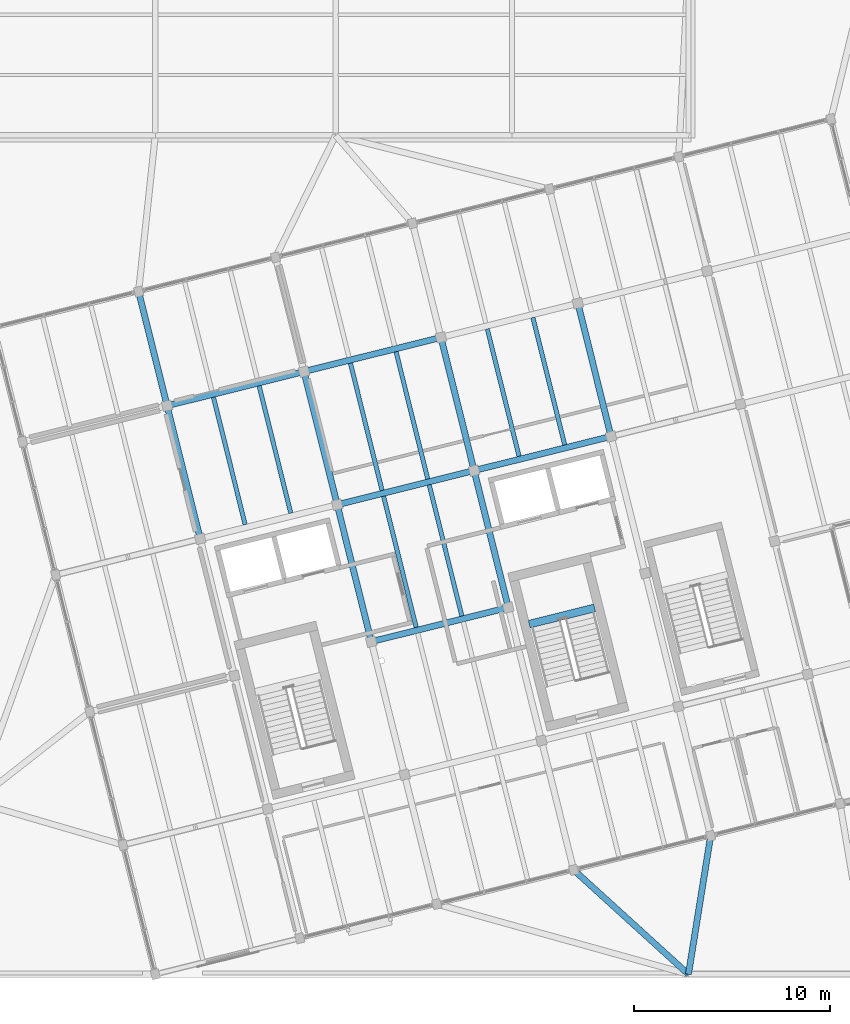
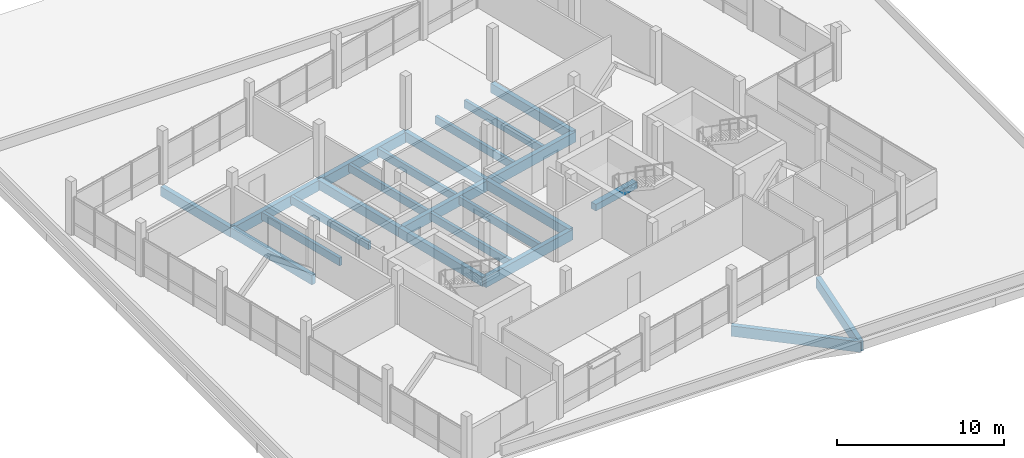
# One storey, part 11 of 37: 23 beams.
"""IFC4 building model written with IfcOpenShell, lengths in metres."""

from ifc_helpers import new_model, si_unit, direction, frame, origin, origin_2d, place, context, subcontext, project, spatial, rectangle, extrude, material, material_profile, profile_set, type_object, element, save


model = new_model("IFC4")

# Units and contexts
model_context = context("Model", 3, precision=1e-05, world=origin(), true_north=direction((0.0, 1.0)))
body_context = subcontext(model_context, "Body", "Model", "MODEL_VIEW")
ifc_project = project(units=[si_unit("LENGTHUNIT", "METRE"), si_unit("AREAUNIT", "SQUARE_METRE"), si_unit("VOLUMEUNIT", "CUBIC_METRE"), si_unit("PLANEANGLEUNIT", "RADIAN"), si_unit("MASSUNIT", "GRAM", prefix="KILO")], contexts=[model_context])

# Site, building, storey
site_placement = place(None, origin())
site = spatial("IfcSite", under=ifc_project, at=site_placement, CompositionType="ELEMENT")
building_placement = place(site_placement, origin())
building = spatial("IfcBuilding", under=site, at=building_placement, Name="Meriwether Solvik Hall", CompositionType="ELEMENT")
storey_placement = place(building_placement, frame((0.0, 0.0, 26.10009765625)))
storey = spatial("IfcBuildingStorey", under=building, at=storey_placement, Name="L06", CompositionType="ELEMENT", Elevation=26.10009765625)

# Beams
ifc_material_1 = material(Name="Glulam Douglas-Fir 24F-V8 GL28h", Category="wood")
ifc_material_profile_1 = material_profile(ifc_material_1, rectangle(XDim=0.31494140625, YDim=0.68505859375, at=origin_2d()), Name="GLB-315X685")
ifc_profile_set_1 = profile_set([ifc_material_profile_1], Name="Glulam Douglas-Fir 24F-V8 GL28h")
beam_type_1 = type_object("IfcBeamType", Name="BM-GL-315X685", PredefinedType="BEAM", material=ifc_profile_set_1)
beam_1_placement = place(storey_placement, frame((70.893798828125, 63.414794921875, -0.5625), z_axis=(-0.241911879182, 0.970298223594, 0.0), x_axis=(-0.970298223594, -0.241911879182, 0.0)))
element("IfcBeam", 1, at=beam_1_placement, inside=storey, type_object=beam_type_1, Name="Tower Girder T2:TD-TE (L06)", PredefinedType="BEAM", context=body_context, shape_type="SweptSolid", body=[
    extrude(rectangle(XDim=0.31494140625, YDim=0.68505859375, at=origin_2d()), origin(), (0.0, 0.0, 1.0), 7.0),
])
beam_2_placement = place(storey_placement, frame((69.200439453125, 70.206787109375, -0.612548828125), z_axis=(-0.241903677572, 0.970300268359, 0.0), x_axis=(-0.970300268359, -0.241903677572, 0.0)))
element("IfcBeam", 2, at=beam_2_placement, inside=storey, type_object=beam_type_1, Name="Tower Girder T2:TE-TF (L06)", PredefinedType="BEAM", context=body_context, shape_type="SweptSolid", body=[
    extrude(rectangle(XDim=0.31494140625, YDim=0.68505859375, at=origin_2d()), origin(), (0.0, 0.0, 1.0), 6.0),
])
beam_3_placement = place(storey_placement, frame((79.621826171875, 58.17041015625, -0.5625), z_axis=(-0.241897310542, 0.970301855688, 0.0), x_axis=(-0.970301855688, -0.241897310542, 0.0)))
element("IfcBeam", 3, at=beam_3_placement, inside=storey, type_object=beam_type_1, Name="Tower Girder T3:TC-TD (L06)", PredefinedType="BEAM", context=body_context, shape_type="SweptSolid", body=[
    extrude(rectangle(XDim=0.31494140625, YDim=0.68505859375, at=origin_2d()), origin(), (0.0, 0.0, 1.0), 7.2001953125),
])
beam_4_placement = place(storey_placement, frame((77.880126953125, 65.15673828125, -0.5625), z_axis=(-0.241944715397, 0.970290036376, 0.0), x_axis=(-0.970290036376, -0.241944715397, 0.0)))
element("IfcBeam", 4, at=beam_4_placement, inside=storey, type_object=beam_type_1, Name="Tower Girder T3:TD-TE (L06)", PredefinedType="BEAM", context=body_context, shape_type="SweptSolid", body=[
    extrude(rectangle(XDim=0.31494140625, YDim=0.68505859375, at=origin_2d()), origin(), (0.0, 0.0, 1.0), 7.0),
])
beam_5_placement = place(storey_placement, frame((86.60791015625, 59.912353515625, -0.5625), z_axis=(-0.241905269381, 0.970299871507, 0.0), x_axis=(-0.970299871507, -0.241905269381, 0.0)))
element("IfcBeam", 5, at=beam_5_placement, inside=storey, type_object=beam_type_1, Name="Tower Girder T4:TC-TD (L06)", PredefinedType="BEAM", context=body_context, shape_type="SweptSolid", body=[
    extrude(rectangle(XDim=0.31494140625, YDim=0.68505859375, at=origin_2d()), origin(), (0.0, 0.0, 1.0), 7.199951171875),
])
beam_6_placement = place(storey_placement, frame((84.8662109375, 66.8984375, -0.5625), z_axis=(-0.241936527961, 0.970292077901, 0.0), x_axis=(-0.970292077901, -0.241936527961, 0.0)))
element("IfcBeam", 6, at=beam_6_placement, inside=storey, type_object=beam_type_1, Name="Tower Girder T4:TD-TE (L06)", PredefinedType="BEAM", context=body_context, shape_type="SweptSolid", body=[
    extrude(rectangle(XDim=0.31494140625, YDim=0.68505859375, at=origin_2d()), origin(), (0.0, 0.0, 1.0), 7.000244140625),
])
beam_7_placement = place(storey_placement, frame((91.852294921875, 68.640380859375, -0.5625), z_axis=(-0.241911879182, 0.970298223594, 0.0), x_axis=(-0.970298223594, -0.241911879182, 0.0)))
element("IfcBeam", 7, at=beam_7_placement, inside=storey, type_object=beam_type_1, Name="Tower Girder T5:TD-TE (L06)", PredefinedType="BEAM", context=body_context, shape_type="SweptSolid", body=[
    extrude(rectangle(XDim=0.31494140625, YDim=0.68505859375, at=origin_2d()), origin(), (0.0, 0.0, 1.0), 7.0),
])
ifc_material_2 = material(Name="Glulam Douglas-Fir 24F-V8 GL28h", Category="wood")
ifc_material_profile_2 = material_profile(ifc_material_2, rectangle(XDim=0.31494140625, YDim=0.760009765625, at=origin_2d()), Name="GLB-315X760")
ifc_profile_set_2 = profile_set([ifc_material_profile_2], Name="Glulam Douglas-Fir 24F-V8 GL28h")
beam_type_2 = type_object("IfcBeamType", Name="BM-GL-315X760", PredefinedType="BEAM", material=ifc_profile_set_2)
beam_8_placement = place(storey_placement, frame((89.946533203125, 46.522216796875, -0.650146484375), z_axis=(0.739884216785, -0.672734231144, 0.0), x_axis=(0.672734231144, 0.739884216785, 0.0)))
element("IfcBeam", 8, at=beam_8_placement, inside=storey, type_object=beam_type_2, Name="Diaphragm Collector Girder T4/TA-11/E (L06)", PredefinedType="BEAM", context=body_context, shape_type="SweptSolid", body=[
    extrude(rectangle(XDim=0.31494140625, YDim=0.760009765625, at=origin_2d()), origin(), (0.0, 0.0, 1.0), 7.911376953125),
])
beam_9_placement = place(storey_placement, frame((96.9326171875, 48.26416015625, -0.650146484375), z_axis=(-0.158303256143, -0.98739054031, 0.0), x_axis=(0.98739054031, -0.158303256143, 0.0)))
element("IfcBeam", 9, at=beam_9_placement, inside=storey, type_object=beam_type_2, Name="Diaphragm Collector Girder T5/TA-11/E (L06)", PredefinedType="BEAM", context=body_context, shape_type="SweptSolid", body=[
    extrude(rectangle(XDim=0.31494140625, YDim=0.760009765625, at=origin_2d()), origin(), (0.0, 0.0, 1.0), 7.154541015625),
])
for number, where, z_axis, x_axis, name in (
    (10, (79.621826171875, 58.17041015625, -0.60009765625), (0.970291911955, 0.241937193493, 0.0), (-0.241937193493, 0.970291911955, 0.0), "Tower Girder TC:T3-T4 (L06)"),
    (11, (77.880126953125, 65.15673828125, -0.60009765625), (0.970299871507, 0.241905269381, 0.0), (-0.241905269381, 0.970299871507, 0.0), "Tower Girder TD:T3-T4 (L06)"),
    (12, (84.8662109375, 66.8984375, -0.60009765625), (0.970291911955, 0.241937193493, 0.0), (-0.241937193493, 0.970291911955, 0.0), "Tower Girder TD:T4-T5 (L06)"),
    (13, (69.200439453125, 70.206787109375, -0.60009765625), (0.970291911955, 0.241937193493, 0.0), (-0.241937193493, 0.970291911955, 0.0), "Tower Girder TE:T2-T3 (L06)"),
    (14, (76.1865234375, 71.94873046875, -0.60009765625), (0.970291911955, 0.241937193493, 0.0), (-0.241937193493, 0.970291911955, 0.0), "Tower Girder TE:T3-T4 (L06)"),
):
    element("IfcBeam", number, at=place(storey_placement, frame(where, z_axis=z_axis, x_axis=x_axis)), inside=storey, type_object=beam_type_2, Name=name, PredefinedType="BEAM", context=body_context, shape_type="SweptSolid", body=[
        extrude(rectangle(XDim=0.31494140625, YDim=0.760009765625, at=origin_2d()), origin(), (0.0, 0.0, 1.0), 7.199951171875),
    ])
ifc_material_3 = material(Name="Concrete C40/50", Category="concrete")
ifc_material_profile_3 = material_profile(ifc_material_3, rectangle(XDim=0.39990234375, YDim=0.47998046875, at=origin_2d()), Name="RCB-400X480")
ifc_profile_set_3 = profile_set([ifc_material_profile_3], Name="Concrete C40/50")
beam_type_3 = type_object("IfcBeamType", Name="BM-LND-RC-400X480", PredefinedType="BEAM", material=ifc_profile_set_3)
beam_10_placement = place(storey_placement, frame((87.67578125, 59.060302734375, 1.510009765625), z_axis=(0.970292601873, 0.24193442655, 0.0), x_axis=(-0.24193442655, 0.970292601873, 0.0)))
element("IfcBeam", 15, at=beam_10_placement, inside=storey, type_object=beam_type_3, Name="Stair ST-02 Half-Landing Header Beam (L06)", PredefinedType="BEAM", context=body_context, shape_type="SweptSolid", body=[
    extrude(rectangle(XDim=0.39990234375, YDim=0.47998046875, at=origin_2d()), origin(), (0.0, 0.0, 1.0), 3.440185546875),
])
ifc_material_4 = material(Name="Glulam Douglas-Fir 24F-V8 GL28h", Category="wood")
ifc_material_profile_4 = material_profile(ifc_material_4, rectangle(XDim=0.221923828125, YDim=0.570068359375, at=origin_2d()), Name="GLJ-222X570")
ifc_profile_set_4 = profile_set([ifc_material_profile_4], Name="Glulam Douglas-Fir 24F-V8 GL28h")
beam_type_4 = type_object("IfcBeamType", Name="JST-GL-222X570", PredefinedType="JOIST", material=ifc_profile_set_4)
beam_11_placement = place(storey_placement, frame((73.185791015625, 64.143310546875, -0.505126953125), z_axis=(-0.241943564064, 0.970290323464, 0.0), x_axis=(-0.970290323464, -0.241943564064, 0.0)))
element("IfcBeam", 16, at=beam_11_placement, inside=storey, type_object=beam_type_4, Name="Glulam Floor Joist T2/TD-J1 (L06)", PredefinedType="JOIST", context=body_context, shape_type="SweptSolid", body=[
    extrude(rectangle(XDim=0.221923828125, YDim=0.570068359375, at=origin_2d()), origin(), (0.0, 0.0, 1.0), 6.6953125),
])
beam_12_placement = place(storey_placement, frame((75.514404296875, 64.72412109375, -0.505126953125), z_axis=(-0.241917792922, 0.970296749179, 0.0), x_axis=(-0.970296749179, -0.241917792922, 0.0)))
element("IfcBeam", 17, at=beam_12_placement, inside=storey, type_object=beam_type_4, Name="Glulam Floor Joist T2/TD-J2 (L06)", PredefinedType="JOIST", context=body_context, shape_type="SweptSolid", body=[
    extrude(rectangle(XDim=0.221923828125, YDim=0.570068359375, at=origin_2d()), origin(), (0.0, 0.0, 1.0), 6.695068359375),
])
for number, where, z_axis, x_axis, name in (
    (18, (81.91357421875, 58.899169921875, -0.505126953125), (-0.241910719241, 0.970298512787, 0.0), (-0.970298512787, -0.241910719241, 0.0), "Glulam Floor Joist T3/TC-J1 (L06)"),
    (19, (84.242431640625, 59.479736328125, -0.505126953125), (-0.241944055158, 0.970290201009, 0.0), (-0.970290201009, -0.241944055158, 0.0), "Glulam Floor Joist T3/TC-J2 (L06)"),
):
    element("IfcBeam", number, at=place(storey_placement, frame(where, z_axis=z_axis, x_axis=x_axis)), inside=storey, type_object=beam_type_4, Name=name, PredefinedType="JOIST", context=body_context, shape_type="SweptSolid", body=[
        extrude(rectangle(XDim=0.221923828125, YDim=0.570068359375, at=origin_2d()), origin(), (0.0, 0.0, 1.0), 6.89501953125),
    ])
for number, where, z_axis, x_axis, name in (
    (20, (80.171875, 65.88525390625, -0.505126953125), (-0.241917792922, 0.970296749179, 0.0), (-0.970296749179, -0.241917792922, 0.0), "Glulam Floor Joist T3/TD-J1 (L06)"),
    (21, (82.50048828125, 66.4658203125, -0.505126953125), (-0.241917792922, 0.970296749179, 0.0), (-0.970296749179, -0.241917792922, 0.0), "Glulam Floor Joist T3/TD-J2 (L06)"),
):
    element("IfcBeam", number, at=place(storey_placement, frame(where, z_axis=z_axis, x_axis=x_axis)), inside=storey, type_object=beam_type_4, Name=name, PredefinedType="JOIST", context=body_context, shape_type="SweptSolid", body=[
        extrude(rectangle(XDim=0.221923828125, YDim=0.570068359375, at=origin_2d()), origin(), (0.0, 0.0, 1.0), 6.695068359375),
    ])
beam_13_placement = place(storey_placement, frame((87.157958984375, 67.626953125, -0.505126953125), z_axis=(-0.241909233393, 0.970298883231, 0.0), x_axis=(-0.970298883231, -0.241909233393, 0.0)))
element("IfcBeam", 22, at=beam_13_placement, inside=storey, type_object=beam_type_4, Name="Glulam Floor Joist T4/TD-J1 (L06)", PredefinedType="JOIST", context=body_context, shape_type="SweptSolid", body=[
    extrude(rectangle(XDim=0.221923828125, YDim=0.570068359375, at=origin_2d()), origin(), (0.0, 0.0, 1.0), 6.6953125),
])
beam_14_placement = place(storey_placement, frame((89.486572265625, 68.207763671875, -0.505126953125), z_axis=(-0.241917792922, 0.970296749179, 0.0), x_axis=(-0.970296749179, -0.241917792922, 0.0)))
element("IfcBeam", 23, at=beam_14_placement, inside=storey, type_object=beam_type_4, Name="Glulam Floor Joist T4/TD-J2 (L06)", PredefinedType="JOIST", context=body_context, shape_type="SweptSolid", body=[
    extrude(rectangle(XDim=0.221923828125, YDim=0.570068359375, at=origin_2d()), origin(), (0.0, 0.0, 1.0), 6.695068359375),
])

save(model, "model.ifc")
